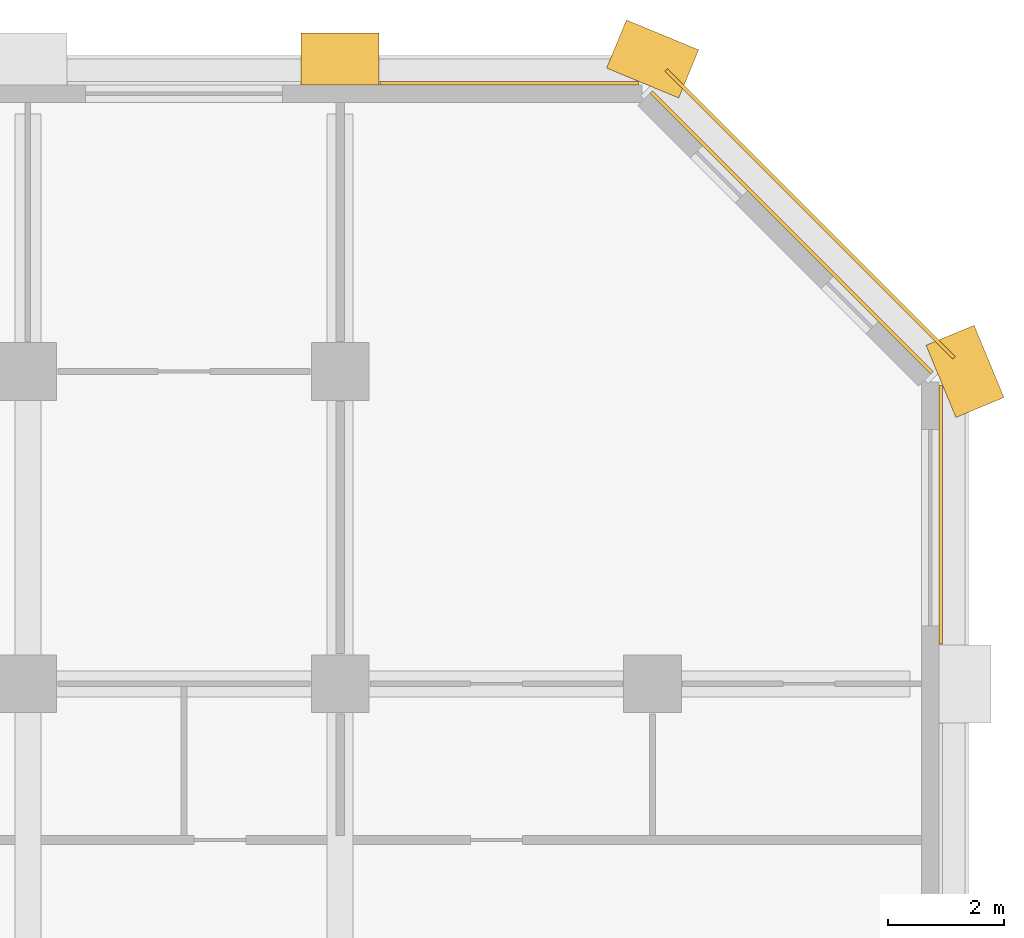
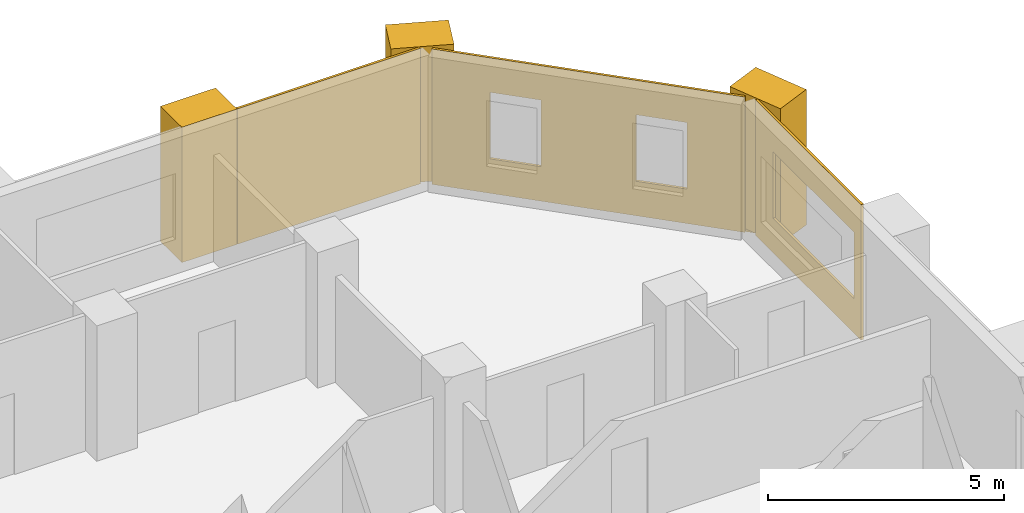
# One storey, part 11 of 11: 7 coverings.
"""IFC4 building model written with IfcOpenShell, lengths in metres."""

from ifc_helpers import new_model, si_unit, direction, frame, frame_2d, origin, place, context, subcontext, project, spatial, polyline, rectangle, outline, extrude, material, layer, layer_set, type_object, element, save


model = new_model("IFC4")

# Units and contexts
model_context = context("Model", 3, precision=1e-05, world=origin(), true_north=direction((0.0, 1.0)))
body_context = subcontext(model_context, "Body", "Model", "MODEL_VIEW")
ifc_project = project(units=[si_unit("LENGTHUNIT", "METRE"), si_unit("AREAUNIT", "SQUARE_METRE"), si_unit("VOLUMEUNIT", "CUBIC_METRE"), si_unit("PLANEANGLEUNIT", "RADIAN"), si_unit("MASSUNIT", "GRAM", prefix="KILO")], contexts=[model_context])

# Site, building, storey
site_placement = place(None, origin())
site = spatial("IfcSite", under=ifc_project, at=site_placement, CompositionType="ELEMENT")
building_placement = place(site_placement, origin())
building = spatial("IfcBuilding", under=site, at=building_placement, Name="Tabaq Tower and Sports Hall", CompositionType="ELEMENT")
storey_placement = place(building_placement, frame((0.0, 0.0, 84.0)))
storey = spatial("IfcBuildingStorey", under=building, at=storey_placement, Name="L19", CompositionType="ELEMENT", Elevation=84.0)

# Coverings
ifc_material_1 = material(Name="Precast concrete C60/75", Category="concrete")
ifc_layer_1 = layer(ifc_material_1, 0.06005859375)
ifc_layer_set_1 = layer_set([ifc_layer_1], Name="Edge beam cladding 60")
covering_type_1 = type_object("IfcCoveringType", Name="Edge beam cladding 60", PredefinedType="CLADDING", material=ifc_layer_set_1)
covering_1_placement = place(storey_placement, frame((48.41015625, 43.432373046875, -0.300048828125), z_axis=(0.0, 0.0, 1.0), x_axis=(-0.707106781187, 0.707106781187, 0.0)))
element("IfcCovering", 1, at=covering_1_placement, inside=storey, type_object=covering_type_1, Name="Edge beam cladding L19 3", PredefinedType="CLADDING", context=body_context, shape_type="SweptSolid", body=[
    extrude(rectangle(XDim=7.03955078125, YDim=0.06005859375, at=frame_2d((3.519775390625, 0.0))), origin(), (0.0, 0.0, 1.0), 0.300048828125),
])
ifc_material_2 = material(Name="White precast concrete C60/75", Category="concrete")
covering_type_2 = type_object("IfcCoveringType", Name="Pier cladding hung 1350x900", PredefinedType="CLADDING", material=ifc_material_2)
for number, where, z_axis, x_axis, name in (
    (2, (38.47509765625, 48.60009765625, 0.0), (0.0, 0.0, 1.0), (-1.0, 0.0, 0.0), "Hung pier cladding 7/9"),
    (3, (43.82373046875, 48.341796875, 0.0), (0.0, 0.0, 1.0), (-0.923893411637, 0.382649923473, 0.0), "Hung pier cladding 8/9"),
    (4, (48.8583984375, 42.576416015625, 0.0), (0.0, 0.0, 1.0), (-0.382649923473, 0.923893411637, 0.0), "Hung pier cladding 9/8"),
):
    element("IfcCovering", number, at=place(storey_placement, frame(where, z_axis=z_axis, x_axis=x_axis)), inside=storey, type_object=covering_type_2, Name=name, PredefinedType="CLADDING", context=body_context, shape_type="SweptSolid", body=[
        extrude(rectangle(XDim=1.35009765625, YDim=0.89990234375, at=frame_2d((0.675048828125, 0.0))), origin(), (0.0, 0.0, 1.0), 3.5),
    ])
ifc_material_3 = material(Name="Precast concrete C60/75", Category="concrete")
ifc_layer_2 = layer(ifc_material_3, 0.06005859375)
ifc_layer_set_2 = layer_set([ifc_layer_2], Name="White precast cladding panel 60 C60/75")
covering_type_3 = type_object("IfcCoveringType", Name="White precast cladding panel 60 C60/75", PredefinedType="CLADDING", material=ifc_layer_set_2)
covering_2_placement = place(storey_placement, frame((48.179931640625, 38.485107421875, 0.0), z_axis=(0.0, 0.0, 1.0), x_axis=(0.0, 1.0, 0.0)))
element("IfcCovering", 5, at=covering_2_placement, inside=storey, type_object=covering_type_3, Name="White precast cladding panel L19 wall02 6", PredefinedType="CLADDING", context=body_context, shape_type="SweptSolid", body=[
    extrude(outline(polyline([(0.0, 0.0), (4.4716796875, 0.0), (4.4716796875, 3.5), (0.0, 3.5), (0.0, 0.0)]), holes=[polyline([(0.304931640625, 0.889892578125), (0.304931640625, 2.610107421875), (3.72509765625, 2.610107421875), (3.72509765625, 0.889892578125), (0.304931640625, 0.889892578125)])]), frame((0.0, 0.030029296875, 0.0), z_axis=(0.0, -1.0, 0.0), x_axis=(1.0, 0.0, 0.0)), (0.0, 0.0, 1.0), 0.06005859375),
])
covering_3_placement = place(storey_placement, frame((48.0283203125, 43.177734375, 0.0), z_axis=(0.0, 0.0, 1.0), x_axis=(-0.707106781187, 0.707106781187, 0.0)))
element("IfcCovering", 6, at=covering_3_placement, inside=storey, type_object=covering_type_3, Name="White precast cladding panel L19 wall03", PredefinedType="CLADDING", context=body_context, shape_type="SweptSolid", body=[
    extrude(outline(polyline([(0.0, 0.0), (6.85986328125, 0.0), (6.85986328125, 3.5), (0.0, 3.5), (0.0, 0.0)]), holes=[polyline([(1.269775390625, 2.610107421875), (2.389892578125, 2.610107421875), (2.389892578125, 0.889892578125), (1.269775390625, 0.889892578125), (1.269775390625, 2.610107421875)]), polyline([(4.4697265625, 2.610107421875), (5.58984375, 2.610107421875), (5.58984375, 0.889892578125), (4.4697265625, 0.889892578125), (4.4697265625, 2.610107421875)])]), frame((0.0, 0.030029296875, 0.0), z_axis=(0.0, -1.0, 0.0), x_axis=(1.0, 0.0, 0.0)), (0.0, 0.0, 1.0), 0.06005859375),
])
covering_4_placement = place(storey_placement, frame((42.956787109375, 48.179931640625, 0.0), z_axis=(0.0, 0.0, 1.0), x_axis=(-1.0, 0.0, 0.0)))
element("IfcCovering", 7, at=covering_4_placement, inside=storey, type_object=covering_type_3, Name="White precast cladding panel L19 wall04", PredefinedType="CLADDING", context=body_context, shape_type="SweptSolid", body=[
    extrude(rectangle(XDim=4.4716796875, YDim=0.06005859375, at=frame_2d((2.23583984375, 0.0))), origin(), (0.0, 0.0, 1.0), 3.5),
])

save(model, "model.ifc")
